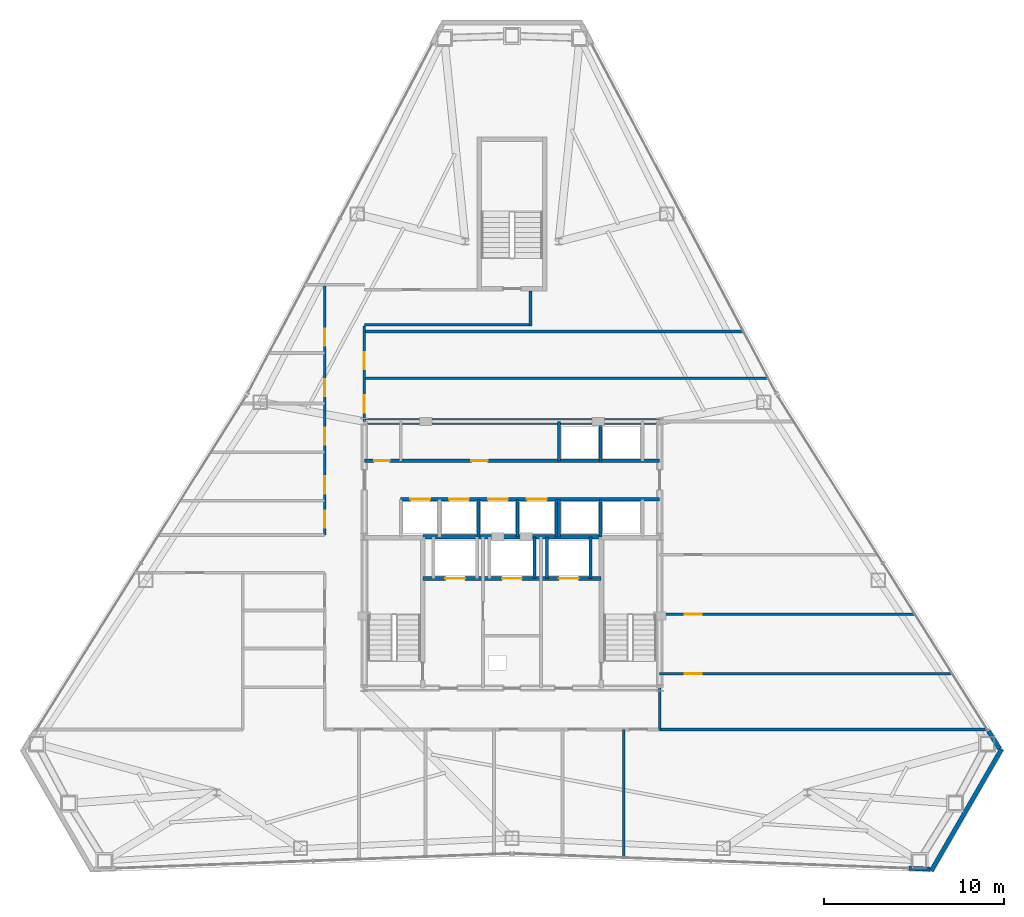
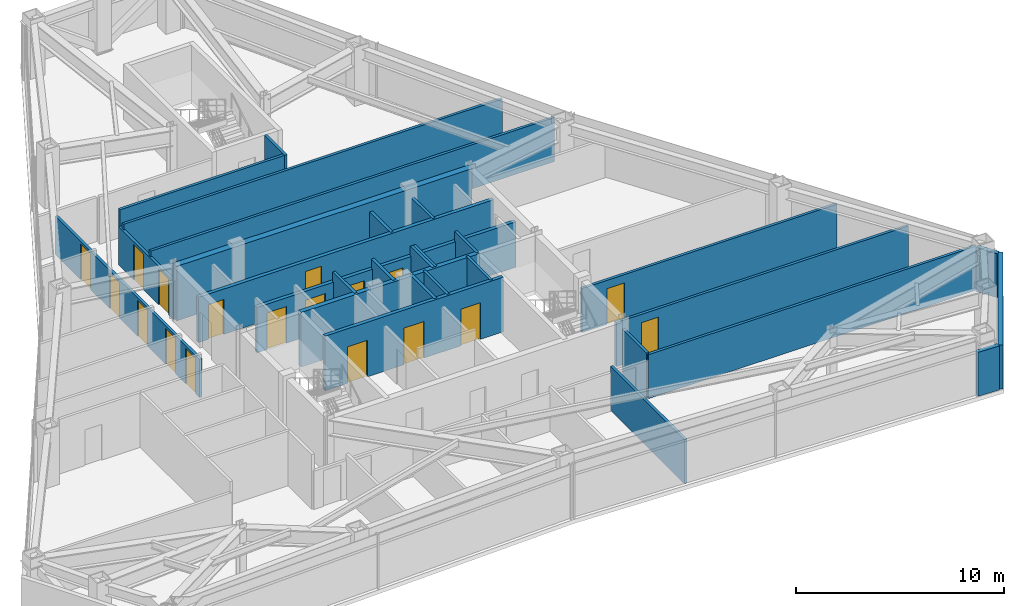
# One storey, part 11 of 13: 29 walls, 18 doors, 18 openings.
"""IFC4 building model written with IfcOpenShell, lengths in metres."""

from ifc_helpers import new_model, si_unit, direction, frame, frame_2d, origin, place, context, subcontext, project, spatial, rectangle, extrude, material, layer, layer_set, type_object, element, fill, save


model = new_model("IFC4")

# Units and contexts
model_context = context("Model", 3, precision=1e-05, world=origin(), true_north=direction((0.0, 1.0)))
body_context = subcontext(model_context, "Body", "Model", "MODEL_VIEW")
ifc_project = project(units=[si_unit("LENGTHUNIT", "METRE"), si_unit("AREAUNIT", "SQUARE_METRE"), si_unit("VOLUMEUNIT", "CUBIC_METRE"), si_unit("PLANEANGLEUNIT", "RADIAN"), si_unit("MASSUNIT", "GRAM", prefix="KILO")], contexts=[model_context])

# Site, building, storey
site_placement = place(None, origin())
site = spatial("IfcSite", under=ifc_project, at=site_placement, CompositionType="ELEMENT")
building_placement = place(site_placement, origin())
building = spatial("IfcBuilding", under=site, at=building_placement, Name="Varakhsha Concourse Tower", CompositionType="ELEMENT")
storey_placement = place(building_placement, frame((0.0, 0.0, 172.35009765625)))
storey = spatial("IfcBuildingStorey", under=building, at=storey_placement, Name="L49", CompositionType="ELEMENT", Elevation=172.35009765625)

# Walls
ifc_material_1 = material(Name="Concrete fc 65 MPa", Category="concrete")
ifc_layer_1 = layer(ifc_material_1, 0.35009765625, Name="WL-CORE-350")
ifc_layer_set_1 = layer_set([ifc_layer_1], Name="Concrete fc 65 MPa")
wall_type_1 = type_object("IfcWallType", Name="WL-CORE-350", PredefinedType="SHEAR", material=ifc_layer_set_1)
wall_1_placement = place(storey_placement, frame((31.800048828125, 31.199951171875, 0.0), z_axis=(0.0, 0.0, 1.0), x_axis=(1.0, 0.0, 0.0)))
element("IfcWall", 1, at=wall_1_placement, inside=storey, type_object=wall_type_1, Name="L49 Wall CWALL-N-L49", PredefinedType="SHEAR", context=body_context, shape_type="SweptSolid", body=[
    extrude(rectangle(XDim=16.39990234375, YDim=0.35009765625, at=frame_2d((8.199951171875, 0.0))), origin(), (0.0, 0.0, 1.0), 3.2099609375),
])
ifc_material_2 = material(Name="Concrete fc 45 MPa", Category="concrete")
ifc_layer_2 = layer(ifc_material_2, 0.239990234375, Name="WL-EXT-CRN-240")
ifc_layer_set_2 = layer_set([ifc_layer_2], Name="Concrete fc 45 MPa")
wall_type_2 = type_object("IfcWallType", Name="WL-EXT-CRN-240", PredefinedType="SHEAR", material=ifc_layer_set_2)
wall_2_placement = place(storey_placement, frame((62.04248046875, 6.385009765625, 0.0), z_axis=(0.0, 0.0, 1.0), x_axis=(0.999299278667, -0.037429288739, 0.0)))
element("IfcWall", 2, at=wall_2_placement, inside=storey, type_object=wall_type_2, Name="L49 Wind-Corner Shoulder Wall F6", PredefinedType="SHEAR", context=body_context, shape_type="SweptSolid", body=[
    extrude(rectangle(XDim=1.16748046875, YDim=0.239990234375, at=frame_2d((0.583740234375, 0.0))), origin(), (0.0, 0.0, 1.0), 2.5830078125),
])
wall_3_placement = place(storey_placement, frame((67.1845703125, 13.00830078125, 0.0), z_axis=(0.0, 0.0, 1.0), x_axis=(-0.500020487837, -0.866013574803, 0.0)))
element("IfcWall", 3, at=wall_3_placement, inside=storey, type_object=wall_type_2, Name="L49 Chamfer Wind-Corner Insulated Wall F7", PredefinedType="SHEAR", context=body_context, shape_type="SweptSolid", body=[
    extrude(rectangle(XDim=7.800048828125, YDim=0.239990234375, at=frame_2d((3.89990234375, 0.0))), origin(), (0.0, 0.0, 1.0), 2.5830078125),
])
wall_4_placement = place(storey_placement, frame((67.070556640625, 13.029541015625, 0.0), z_axis=(0.0, 0.0, 1.0), x_axis=(-0.532008789028, 0.84673883128, 0.0)))
element("IfcWall", 4, at=wall_4_placement, inside=storey, type_object=wall_type_2, Name="L49 Wind-Corner Shoulder Wall F8", PredefinedType="SHEAR", context=body_context, shape_type="SweptSolid", body=[
    extrude(rectangle(XDim=1.16748046875, YDim=0.239990234375, at=frame_2d((0.583740234375, 0.0))), origin(), (0.0, 0.0, 1.0), 2.5830078125),
])
ifc_material_3 = material(Name="Fire-Rated Type X Gypsum Partition Assembly", Category="gypsum")
ifc_layer_3 = layer(ifc_material_3, 0.14990234375, Name="WL-PART-150")
ifc_layer_set_3 = layer_set([ifc_layer_3], Name="Fire-Rated Type X Gypsum Partition Assembly")
wall_type_3 = type_object("IfcWallType", Name="WL-PART-150", PredefinedType="PARTITIONING", material=ifc_layer_set_3)
wall_5_placement = place(storey_placement, frame((48.199951171875, 14.10009765625, 0.0), z_axis=(0.0, 0.0, 1.0), x_axis=(0.0, 1.0, 0.0)))
element("IfcWall", 5, at=wall_5_placement, inside=storey, type_object=wall_type_3, Name="L49 Wall CRW-SE-L49", PredefinedType="PARTITIONING", context=body_context, shape_type="SweptSolid", body=[
    extrude(rectangle(XDim=2.2998046875, YDim=0.14990234375, at=frame_2d((1.14990234375, 0.0))), origin(), (0.0, 0.0, 1.0), 2.664794921875),
])

# Wall, openings, doors
wall_6_placement = place(storey_placement, frame((29.60009765625, 24.89990234375, 0.0), z_axis=(0.0, 0.0, 1.0), x_axis=(0.0, 1.0, 0.0)))
wall_6 = element("IfcWall", 6, at=wall_6_placement, inside=storey, type_object=wall_type_3, Name="L49 Wall CRW-WN-L49", PredefinedType="PARTITIONING", context=body_context, shape_type="SweptSolid", body=[
    extrude(rectangle(XDim=13.900146484375, YDim=0.14990234375, at=frame_2d((6.9501953125, 0.0))), origin(), (0.0, 0.0, 1.0), 2.251953125),
])
opening_1_placement = place(wall_6_placement, frame((0.39990234375, 0.0, 0.0)))
opening_1 = element("IfcOpeningElement", 7, at=opening_1_placement, cuts=wall_6, Name="Opening DF-05", PredefinedType="OPENING", context=body_context, shape_type="SweptSolid", body=[
    extrude(rectangle(XDim=0.949951171875, YDim=2.10009765625, at=frame_2d((0.47509765625, 1.050048828125))), frame((0.0, 0.0849609375, 0.0), z_axis=(0.0, -1.0, 0.0), x_axis=(1.0, 0.0, 0.0)), (0.0, 0.0, 1.0), 0.169921875),
])
opening_2_placement = place(wall_6_placement, frame((2.300048828125, 0.0, 0.0)))
opening_2 = element("IfcOpeningElement", 8, at=opening_2_placement, cuts=wall_6, Name="Opening DF-05", PredefinedType="OPENING", context=body_context, shape_type="SweptSolid", body=[
    extrude(rectangle(XDim=0.949951171875, YDim=2.10009765625, at=frame_2d((0.47509765625, 1.050048828125))), frame((0.0, 0.0849609375, 0.0), z_axis=(0.0, -1.0, 0.0), x_axis=(1.0, 0.0, 0.0)), (0.0, 0.0, 1.0), 0.169921875),
])
opening_3_placement = place(wall_6_placement, frame((5.0, 0.0, 0.0)))
opening_3 = element("IfcOpeningElement", 9, at=opening_3_placement, cuts=wall_6, Name="Opening DF-05", PredefinedType="OPENING", context=body_context, shape_type="SweptSolid", body=[
    extrude(rectangle(XDim=0.949951171875, YDim=2.10009765625, at=frame_2d((0.47509765625, 1.050048828125))), frame((0.0, 0.0849609375, 0.0), z_axis=(0.0, -1.0, 0.0), x_axis=(1.0, 0.0, 0.0)), (0.0, 0.0, 1.0), 0.169921875),
])
opening_4_placement = place(wall_6_placement, frame((7.699951171875, 0.0, 0.0)))
opening_4 = element("IfcOpeningElement", 10, at=opening_4_placement, cuts=wall_6, Name="Opening DF-05", PredefinedType="OPENING", context=body_context, shape_type="SweptSolid", body=[
    extrude(rectangle(XDim=0.949951171875, YDim=2.10009765625, at=frame_2d((0.47509765625, 1.050048828125))), frame((0.0, 0.0849609375, 0.0), z_axis=(0.0, -1.0, 0.0), x_axis=(1.0, 0.0, 0.0)), (0.0, 0.0, 1.0), 0.169921875),
])
opening_5_placement = place(wall_6_placement, frame((10.5, 0.0, 0.0)))
opening_5 = element("IfcOpeningElement", 11, at=opening_5_placement, cuts=wall_6, Name="Opening DF-05", PredefinedType="OPENING", context=body_context, shape_type="SweptSolid", body=[
    extrude(rectangle(XDim=0.949951171875, YDim=2.10009765625, at=frame_2d((0.47509765625, 1.050048828125))), frame((0.0, 0.0849609375, 0.0), z_axis=(0.0, -1.0, 0.0), x_axis=(1.0, 0.0, 0.0)), (0.0, 0.0, 1.0), 0.169921875),
])
ifc_material_4 = material(Name="Hollow Galvanised Steel Fire Door Assembly", Category="steel")
door_type_1 = type_object("IfcDoorType", Name="DR-FD60-950", OperationType="NOTDEFINED", PredefinedType="DOOR", material=ifc_material_4)
door_1_placement = place(opening_1_placement, origin())
door_1 = element("IfcDoor", 12, at=door_1_placement, inside=storey, type_object=door_type_1, Name="L49 Chambers Break Kitchen L49-NW Door", OperationType="SINGLE_SWING_LEFT", OverallHeight=2.10009765625, OverallWidth=0.949951171875, PredefinedType="DOOR", context=body_context, shape_type="SweptSolid", body=[
    extrude(rectangle(XDim=0.949951171875, YDim=2.10009765625, at=frame_2d((0.47509765625, 1.050048828125))), frame((0.0, 0.02490234375, 0.0), z_axis=(0.0, -1.0, 0.0), x_axis=(1.0, 0.0, 0.0)), (0.0, 0.0, 1.0), 0.050048828125),
])
fill(opening_1, door_1)
door_2_placement = place(opening_2_placement, origin())
door_2 = element("IfcDoor", 13, at=door_2_placement, inside=storey, type_object=door_type_1, Name="L49 Senior Partner Chamber L49-W2 Door", OperationType="SINGLE_SWING_RIGHT", OverallHeight=2.10009765625, OverallWidth=0.949951171875, PredefinedType="DOOR", context=body_context, shape_type="SweptSolid", body=[
    extrude(rectangle(XDim=0.949951171875, YDim=2.10009765625, at=frame_2d((0.47509765625, 1.050048828125))), frame((0.0, 0.02490234375, 0.0), z_axis=(0.0, -1.0, 0.0), x_axis=(1.0, 0.0, 0.0)), (0.0, 0.0, 1.0), 0.050048828125),
])
fill(opening_2, door_2)
door_3_placement = place(opening_3_placement, origin())
door_3 = element("IfcDoor", 14, at=door_3_placement, inside=storey, type_object=door_type_1, Name="L49 Senior Partner Chamber L49-W3 Door", OperationType="SINGLE_SWING_LEFT", OverallHeight=2.10009765625, OverallWidth=0.949951171875, PredefinedType="DOOR", context=body_context, shape_type="SweptSolid", body=[
    extrude(rectangle(XDim=0.949951171875, YDim=2.10009765625, at=frame_2d((0.47509765625, 1.050048828125))), frame((0.0, 0.02490234375, 0.0), z_axis=(0.0, -1.0, 0.0), x_axis=(1.0, 0.0, 0.0)), (0.0, 0.0, 1.0), 0.050048828125),
])
fill(opening_3, door_3)
door_4_placement = place(opening_4_placement, origin())
door_4 = element("IfcDoor", 15, at=door_4_placement, inside=storey, type_object=door_type_1, Name="L49 Senior Partner Chamber L49-W4 Door", OperationType="SINGLE_SWING_RIGHT", OverallHeight=2.10009765625, OverallWidth=0.949951171875, PredefinedType="DOOR", context=body_context, shape_type="SweptSolid", body=[
    extrude(rectangle(XDim=0.949951171875, YDim=2.10009765625, at=frame_2d((0.47509765625, 1.050048828125))), frame((0.0, 0.02490234375, 0.0), z_axis=(0.0, -1.0, 0.0), x_axis=(1.0, 0.0, 0.0)), (0.0, 0.0, 1.0), 0.050048828125),
])
fill(opening_4, door_4)
door_5_placement = place(opening_5_placement, origin())
door_5 = element("IfcDoor", 16, at=door_5_placement, inside=storey, type_object=door_type_1, Name="L49 Senior Partner Chamber L49-W5 Door", OperationType="SINGLE_SWING_LEFT", OverallHeight=2.10009765625, OverallWidth=0.949951171875, PredefinedType="DOOR", context=body_context, shape_type="SweptSolid", body=[
    extrude(rectangle(XDim=0.949951171875, YDim=2.10009765625, at=frame_2d((0.47509765625, 1.050048828125))), frame((0.0, 0.02490234375, 0.0), z_axis=(0.0, -1.0, 0.0), x_axis=(1.0, 0.0, 0.0)), (0.0, 0.0, 1.0), 0.050048828125),
])
fill(opening_5, door_5)

wall_7_placement = place(storey_placement, frame((31.800048828125, 31.199951171875, 0.0), z_axis=(0.0, 0.0, 1.0), x_axis=(0.0, 1.0, 0.0)))
wall_7 = element("IfcWall", 17, at=wall_7_placement, inside=storey, type_object=wall_type_3, Name="L49 Wall CRW-NE-L49", PredefinedType="PARTITIONING", context=body_context, shape_type="SweptSolid", body=[
    extrude(rectangle(XDim=5.300048828125, YDim=0.14990234375, at=frame_2d((2.64990234375, 0.0))), origin(), (0.0, 0.0, 1.0), 2.251953125),
])
opening_6_placement = place(wall_7_placement, frame((0.5, 0.0, 0.0)))
opening_6 = element("IfcOpeningElement", 18, at=opening_6_placement, cuts=wall_7, Name="Opening DF-05", PredefinedType="OPENING", context=body_context, shape_type="SweptSolid", body=[
    extrude(rectangle(XDim=0.949951171875, YDim=2.10009765625, at=frame_2d((0.47509765625, 1.050048828125))), frame((0.0, 0.0849609375, 0.0), z_axis=(0.0, -1.0, 0.0), x_axis=(1.0, 0.0, 0.0)), (0.0, 0.0, 1.0), 0.169921875),
])
opening_7_placement = place(wall_7_placement, frame((2.89990234375, 0.0, 0.0)))
opening_7 = element("IfcOpeningElement", 19, at=opening_7_placement, cuts=wall_7, Name="Opening DF-05", PredefinedType="OPENING", context=body_context, shape_type="SweptSolid", body=[
    extrude(rectangle(XDim=0.949951171875, YDim=2.10009765625, at=frame_2d((0.47509765625, 1.050048828125))), frame((0.0, 0.0849609375, 0.0), z_axis=(0.0, -1.0, 0.0), x_axis=(1.0, 0.0, 0.0)), (0.0, 0.0, 1.0), 0.169921875),
])
door_6_placement = place(opening_6_placement, origin())
door_6 = element("IfcDoor", 20, at=door_6_placement, inside=storey, type_object=door_type_1, Name="L49 Mountain View Deposition Conference Room L49-NE1 Door", OperationType="SINGLE_SWING_RIGHT", OverallHeight=2.10009765625, OverallWidth=0.949951171875, PredefinedType="DOOR", context=body_context, shape_type="SweptSolid", body=[
    extrude(rectangle(XDim=0.949951171875, YDim=2.10009765625, at=frame_2d((0.47509765625, 1.050048828125))), frame((0.0, 0.02490234375, 0.0), z_axis=(0.0, -1.0, 0.0), x_axis=(1.0, 0.0, 0.0)), (0.0, 0.0, 1.0), 0.050048828125),
])
fill(opening_6, door_6)
door_7_placement = place(opening_7_placement, origin())
door_7 = element("IfcDoor", 21, at=door_7_placement, inside=storey, type_object=door_type_1, Name="L49 Apex Senior Partner Chamber L49-NE2 Door", OperationType="SINGLE_SWING_RIGHT", OverallHeight=2.10009765625, OverallWidth=0.949951171875, PredefinedType="DOOR", context=body_context, shape_type="SweptSolid", body=[
    extrude(rectangle(XDim=0.949951171875, YDim=2.10009765625, at=frame_2d((0.47509765625, 1.050048828125))), frame((0.0, 0.02490234375, 0.0), z_axis=(0.0, -1.0, 0.0), x_axis=(1.0, 0.0, 0.0)), (0.0, 0.0, 1.0), 0.050048828125),
])
fill(opening_7, door_7)

# Walls
wall_8_placement = place(storey_placement, frame((46.199951171875, 6.982666015625, 0.0), z_axis=(0.0, 0.0, 1.0), x_axis=(0.0, 1.0, 0.0)))
element("IfcWall", 22, at=wall_8_placement, inside=storey, type_object=wall_type_3, Name="L49 Wall ODIV-S5-L49", PredefinedType="PARTITIONING", context=body_context, shape_type="SweptSolid", body=[
    extrude(rectangle(XDim=7.117431640625, YDim=0.14990234375, at=frame_2d((3.55859375, 0.0))), origin(), (0.0, 0.0, 1.0), 2.5888671875),
])
wall_9_placement = place(storey_placement, frame((31.800048828125, 33.60009765625, 0.0), z_axis=(0.0, 0.0, 1.0), x_axis=(1.0, 0.0, 0.0)))
element("IfcWall", 23, at=wall_9_placement, inside=storey, type_object=wall_type_3, Name="L49 Wall ODIV-NE1-L49", PredefinedType="PARTITIONING", context=body_context, shape_type="SweptSolid", body=[
    extrude(rectangle(XDim=22.43017578125, YDim=0.14990234375, at=frame_2d((11.215087890625, 0.0))), origin(), (0.0, 0.0, 1.0), 2.5888671875),
])
wall_10_placement = place(storey_placement, frame((31.800048828125, 36.199951171875, 0.0), z_axis=(0.0, 0.0, 1.0), x_axis=(1.0, 0.0, 0.0)))
element("IfcWall", 24, at=wall_10_placement, inside=storey, type_object=wall_type_3, Name="L49 Wall ODIV-NE2-L49", PredefinedType="PARTITIONING", context=body_context, shape_type="SweptSolid", body=[
    extrude(rectangle(XDim=21.05615234375, YDim=0.14990234375, at=frame_2d((10.528076171875, 0.0))), origin(), (0.0, 0.0, 1.0), 2.5888671875),
])
wall_11_placement = place(storey_placement, frame((48.199951171875, 14.10009765625, 0.0), z_axis=(0.0, 0.0, 1.0), x_axis=(1.0, 0.0, 0.0)))
element("IfcWall", 25, at=wall_11_placement, inside=storey, type_object=wall_type_3, Name="L49 Wall ODIV-EB0-L49", PredefinedType="PARTITIONING", context=body_context, shape_type="SweptSolid", body=[
    extrude(rectangle(XDim=18.192138671875, YDim=0.14990234375, at=frame_2d((9.09619140625, 0.0))), origin(), (0.0, 0.0, 1.0), 2.5888671875),
])

# Wall, opening, door
wall_12_placement = place(storey_placement, frame((48.199951171875, 17.199951171875, 0.0), z_axis=(0.0, 0.0, 1.0), x_axis=(1.0, 0.0, 0.0)))
wall_12 = element("IfcWall", 26, at=wall_12_placement, inside=storey, type_object=wall_type_3, Name="L49 Wall ODIV-E1-L49", PredefinedType="PARTITIONING", context=body_context, shape_type="SweptSolid", body=[
    extrude(rectangle(XDim=16.244140625, YDim=0.14990234375, at=frame_2d((8.1220703125, 0.0))), origin(), (0.0, 0.0, 1.0), 2.5888671875),
])
opening_8_placement = place(wall_12_placement, frame((1.39990234375, 0.0, 0.0)))
opening_8 = element("IfcOpeningElement", 27, at=opening_8_placement, cuts=wall_12, Name="Opening DF-05", PredefinedType="OPENING", context=body_context, shape_type="SweptSolid", body=[
    extrude(rectangle(XDim=0.949951171875, YDim=2.10009765625, at=frame_2d((0.47509765625, 1.050048828125))), frame((0.0, 0.0849609375, 0.0), z_axis=(0.0, -1.0, 0.0), x_axis=(1.0, 0.0, 0.0)), (0.0, 0.0, 1.0), 0.169921875),
])
door_8_placement = place(opening_8_placement, origin())
door_8 = element("IfcDoor", 28, at=door_8_placement, inside=storey, type_object=door_type_1, Name="L49 East Suite Interconnect Door 1", OperationType="SINGLE_SWING_LEFT", OverallHeight=2.10009765625, OverallWidth=0.949951171875, PredefinedType="DOOR", context=body_context, shape_type="SweptSolid", body=[
    extrude(rectangle(XDim=0.949951171875, YDim=2.10009765625, at=frame_2d((0.47509765625, 1.050048828125))), frame((0.0, 0.02490234375, 0.0), z_axis=(0.0, -1.0, 0.0), x_axis=(1.0, 0.0, 0.0)), (0.0, 0.0, 1.0), 0.050048828125),
])
fill(opening_8, door_8)

wall_13_placement = place(storey_placement, frame((48.199951171875, 20.5, 0.0), z_axis=(0.0, 0.0, 1.0), x_axis=(1.0, 0.0, 0.0)))
wall_13 = element("IfcWall", 29, at=wall_13_placement, inside=storey, type_object=wall_type_3, Name="L49 Wall ODIV-E2-L49", PredefinedType="PARTITIONING", context=body_context, shape_type="SweptSolid", body=[
    extrude(rectangle(XDim=14.1708984375, YDim=0.14990234375, at=frame_2d((7.08544921875, 0.0))), origin(), (0.0, 0.0, 1.0), 2.5888671875),
])
opening_9_placement = place(wall_13_placement, frame((1.39990234375, 0.0, 0.0)))
opening_9 = element("IfcOpeningElement", 30, at=opening_9_placement, cuts=wall_13, Name="Opening DF-05", PredefinedType="OPENING", context=body_context, shape_type="SweptSolid", body=[
    extrude(rectangle(XDim=0.949951171875, YDim=2.10009765625, at=frame_2d((0.47509765625, 1.050048828125))), frame((0.0, 0.0849609375, 0.0), z_axis=(0.0, -1.0, 0.0), x_axis=(1.0, 0.0, 0.0)), (0.0, 0.0, 1.0), 0.169921875),
])
door_9_placement = place(opening_9_placement, origin())
door_9 = element("IfcDoor", 31, at=door_9_placement, inside=storey, type_object=door_type_1, Name="L49 East Suite Interconnect Door 2", OperationType="SINGLE_SWING_RIGHT", OverallHeight=2.10009765625, OverallWidth=0.949951171875, PredefinedType="DOOR", context=body_context, shape_type="SweptSolid", body=[
    extrude(rectangle(XDim=0.949951171875, YDim=2.10009765625, at=frame_2d((0.47509765625, 1.050048828125))), frame((0.0, 0.02490234375, 0.0), z_axis=(0.0, -1.0, 0.0), x_axis=(1.0, 0.0, 0.0)), (0.0, 0.0, 1.0), 0.050048828125),
])
fill(opening_9, door_9)

# Walls
wall_14_placement = place(storey_placement, frame((31.800048828125, 36.574951171875, 0.0), z_axis=(0.0, 0.0, 1.0), x_axis=(1.0, 0.0, 0.0)))
element("IfcWall", 32, at=wall_14_placement, inside=storey, type_object=wall_type_3, Name="L49 Wall STLK-S-L49", PredefinedType="PARTITIONING", context=body_context, shape_type="SweptSolid", body=[
    extrude(rectangle(XDim=9.14990234375, YDim=0.14990234375, at=frame_2d((4.574951171875, 0.0))), origin(), (0.0, 0.0, 1.0), 3.2099609375),
])
wall_15_placement = place(storey_placement, frame((41.02490234375, 36.5, 0.0), z_axis=(0.0, 0.0, 1.0), x_axis=(0.0, 1.0, 0.0)))
element("IfcWall", 33, at=wall_15_placement, inside=storey, type_object=wall_type_3, Name="L49 Wall STLK-E-L49", PredefinedType="PARTITIONING", context=body_context, shape_type="SweptSolid", body=[
    extrude(rectangle(XDim=1.949951171875, YDim=0.14990234375, at=frame_2d((0.97509765625, 0.0))), origin(), (0.0, 0.0, 1.0), 3.2099609375),
])

# Wall, openings, doors
ifc_layer_4 = layer(ifc_material_3, 0.199951171875, Name="WL-SHAFT-220")
ifc_layer_set_4 = layer_set([ifc_layer_4], Name="Fire-Rated Type X Gypsum Partition Assembly")
wall_type_4 = type_object("IfcWallType", Name="WL-SHAFT-220", PredefinedType="SOLIDWALL", material=ifc_layer_set_4)
wall_16_placement = place(storey_placement, frame((35.044921875, 22.47998046875, 0.0), z_axis=(0.0, 0.0, 1.0), x_axis=(1.0, 0.0, 0.0)))
wall_16 = element("IfcWall", 34, at=wall_16_placement, inside=storey, type_object=wall_type_4, Name="L49 Wall FFW-NH-L49", PredefinedType="SOLIDWALL", context=body_context, shape_type="SweptSolid", body=[
    extrude(rectangle(XDim=9.91015625, YDim=0.199951171875, at=frame_2d((4.955078125, 0.0))), origin(), (0.0, 0.0, 1.0), 3.2099609375),
])
opening_10_placement = place(wall_16_placement, frame((1.2548828125, 0.0, 0.0)))
opening_10 = element("IfcOpeningElement", 35, at=opening_10_placement, cuts=wall_16, Name="Opening LD-FFL-1", PredefinedType="OPENING", context=body_context, shape_type="SweptSolid", body=[
    extrude(rectangle(XDim=1.10009765625, YDim=2.14990234375, at=frame_2d((0.550048828125, 1.074951171875))), frame((0.0, 0.10986328125, 0.0), z_axis=(0.0, -1.0, 0.0), x_axis=(1.0, 0.0, 0.0)), (0.0, 0.0, 1.0), 0.219970703125),
])
opening_11_placement = place(wall_16_placement, frame((7.554931640625, 0.0, 0.0)))
opening_11 = element("IfcOpeningElement", 36, at=opening_11_placement, cuts=wall_16, Name="Opening LD-FFL-2", PredefinedType="OPENING", context=body_context, shape_type="SweptSolid", body=[
    extrude(rectangle(XDim=1.10009765625, YDim=2.14990234375, at=frame_2d((0.550048828125, 1.074951171875))), frame((0.0, 0.10986328125, 0.0), z_axis=(0.0, -1.0, 0.0), x_axis=(1.0, 0.0, 0.0)), (0.0, 0.0, 1.0), 0.219970703125),
])
opening_12_placement = place(wall_16_placement, frame((4.405029296875, 0.0, 0.0)))
opening_12 = element("IfcOpeningElement", 37, at=opening_12_placement, cuts=wall_16, Name="Opening LD-SVL-1", PredefinedType="OPENING", context=body_context, shape_type="SweptSolid", body=[
    extrude(rectangle(XDim=1.10009765625, YDim=2.14990234375, at=frame_2d((0.550048828125, 1.074951171875))), frame((0.0, 0.10986328125, 0.0), z_axis=(0.0, -1.0, 0.0), x_axis=(1.0, 0.0, 0.0)), (0.0, 0.0, 1.0), 0.219970703125),
])
ifc_material_5 = material(Name="Brushed Austenitic Stainless Steel AISI 316", Category="steel")
door_type_2 = type_object("IfcDoorType", Name="DR-LD-1100", OperationType="DOUBLE_DOOR_SLIDING", PredefinedType="DOOR", material=ifc_material_5)
door_10_placement = place(opening_10_placement, origin())
door_10 = element("IfcDoor", 38, at=door_10_placement, inside=storey, type_object=door_type_2, Name="Lift Landing Door FFL-1 L49", OperationType="DOUBLE_DOOR_SLIDING", OverallHeight=2.14990234375, OverallWidth=1.10009765625, PredefinedType="DOOR", context=body_context, shape_type="SweptSolid", body=[
    extrude(rectangle(XDim=1.10009765625, YDim=2.14990234375, at=frame_2d((0.550048828125, 1.074951171875))), frame((0.0, 0.02490234375, 0.0), z_axis=(0.0, -1.0, 0.0), x_axis=(1.0, 0.0, 0.0)), (0.0, 0.0, 1.0), 0.050048828125),
])
fill(opening_10, door_10)
door_11_placement = place(opening_11_placement, origin())
door_11 = element("IfcDoor", 39, at=door_11_placement, inside=storey, type_object=door_type_2, Name="Lift Landing Door FFL-2 L49", OperationType="DOUBLE_DOOR_SLIDING", OverallHeight=2.14990234375, OverallWidth=1.10009765625, PredefinedType="DOOR", context=body_context, shape_type="SweptSolid", body=[
    extrude(rectangle(XDim=1.10009765625, YDim=2.14990234375, at=frame_2d((0.550048828125, 1.074951171875))), frame((0.0, 0.02490234375, 0.0), z_axis=(0.0, -1.0, 0.0), x_axis=(1.0, 0.0, 0.0)), (0.0, 0.0, 1.0), 0.050048828125),
])
fill(opening_11, door_11)
door_12_placement = place(opening_12_placement, origin())
door_12 = element("IfcDoor", 40, at=door_12_placement, inside=storey, type_object=door_type_2, Name="Lift Landing Door SVL-1 L49", OperationType="DOUBLE_DOOR_SLIDING", OverallHeight=2.14990234375, OverallWidth=1.10009765625, PredefinedType="DOOR", context=body_context, shape_type="SweptSolid", body=[
    extrude(rectangle(XDim=1.10009765625, YDim=2.14990234375, at=frame_2d((0.550048828125, 1.074951171875))), frame((0.0, 0.02490234375, 0.0), z_axis=(0.0, -1.0, 0.0), x_axis=(1.0, 0.0, 0.0)), (0.0, 0.0, 1.0), 0.050048828125),
])
fill(opening_12, door_12)

# Walls
for number, where, z_axis, x_axis, name in (
    (41, (41.949951171875, 22.47998046875, 0.0), (0.0, 0.0, 1.0), (0.0, 1.0, 0.0), "L49 Wall SHW-FFL-2-W-L49"),
    (42, (44.35009765625, 22.47998046875, 0.0), (0.0, 0.0, 1.0), (0.0, 1.0, 0.0), "L49 Wall SHW-FFL-2-E-L49"),
    (43, (41.25, 22.47998046875, 0.0), (0.0, 0.0, 1.0), (0.0, 1.0, 0.0), "L49 Wall SHW-SVL-1-E-L49"),
):
    element("IfcWall", number, at=place(storey_placement, frame(where, z_axis=z_axis, x_axis=x_axis)), inside=storey, type_object=wall_type_4, Name=name, PredefinedType="SOLIDWALL", context=body_context, shape_type="SweptSolid", body=[
        extrude(rectangle(XDim=2.320068359375, YDim=0.159912109375, at=frame_2d((1.16015625, 0.0))), origin(), (0.0, 0.0, 1.0), 3.2099609375),
    ])

# Wall, openings, doors
wall_17_placement = place(storey_placement, frame((31.800048828125, 29.02001953125, 0.0), z_axis=(0.0, 0.0, 1.0), x_axis=(1.0, 0.0, 0.0)))
wall_17 = element("IfcWall", 44, at=wall_17_placement, inside=storey, type_object=wall_type_4, Name="L49 Wall PLW-N-L49", PredefinedType="SOLIDWALL", context=body_context, shape_type="SweptSolid", body=[
    extrude(rectangle(XDim=16.39990234375, YDim=0.199951171875, at=frame_2d((8.199951171875, 0.0))), origin(), (0.0, 0.0, 1.0), 2.664794921875),
])
opening_13_placement = place(wall_17_placement, frame((0.550048828125, 0.0, 0.0)))
opening_13 = element("IfcOpeningElement", 45, at=opening_13_placement, cuts=wall_17, Name="Opening DF-07", PredefinedType="OPENING", context=body_context, shape_type="SweptSolid", body=[
    extrude(rectangle(XDim=0.85009765625, YDim=2.050048828125, at=frame_2d((0.425048828125, 1.02490234375))), frame((0.0, 0.10986328125, 0.0), z_axis=(0.0, -1.0, 0.0), x_axis=(1.0, 0.0, 0.0)), (0.0, 0.0, 1.0), 0.219970703125),
])
opening_14_placement = place(wall_17_placement, frame((5.93994140625, 0.0, 0.0)))
opening_14 = element("IfcOpeningElement", 46, at=opening_14_placement, cuts=wall_17, Name="Opening DF-06", PredefinedType="OPENING", context=body_context, shape_type="SweptSolid", body=[
    extrude(rectangle(XDim=0.89990234375, YDim=2.10009765625, at=frame_2d((0.449951171875, 1.050048828125))), frame((0.0, 0.10986328125, 0.0), z_axis=(0.0, -1.0, 0.0), x_axis=(1.0, 0.0, 0.0)), (0.0, 0.0, 1.0), 0.219970703125),
])
door_type_3 = type_object("IfcDoorType", Name="DR-FD60-850", OperationType="NOTDEFINED", PredefinedType="DOOR", material=ifc_material_4)
door_13_placement = place(opening_13_placement, origin())
door_13 = element("IfcDoor", 47, at=door_13_placement, inside=storey, type_object=door_type_3, Name="L49 Core Janitor Closet Door", OperationType="SINGLE_SWING_LEFT", OverallHeight=2.050048828125, OverallWidth=0.85009765625, PredefinedType="DOOR", context=body_context, shape_type="SweptSolid", body=[
    extrude(rectangle(XDim=0.85009765625, YDim=2.050048828125, at=frame_2d((0.425048828125, 1.02490234375))), frame((0.0, 0.02490234375, 0.0), z_axis=(0.0, -1.0, 0.0), x_axis=(1.0, 0.0, 0.0)), (0.0, 0.0, 1.0), 0.050048828125),
])
fill(opening_13, door_13)
door_type_4 = type_object("IfcDoorType", Name="DR-FD60-900", OperationType="NOTDEFINED", PredefinedType="DOOR", material=ifc_material_4)
door_14_placement = place(opening_14_placement, origin())
door_14 = element("IfcDoor", 48, at=door_14_placement, inside=storey, type_object=door_type_4, Name="L49 Tenant Archive and IT Server Room Door", OperationType="SINGLE_SWING_LEFT", OverallHeight=2.10009765625, OverallWidth=0.89990234375, PredefinedType="DOOR", context=body_context, shape_type="SweptSolid", body=[
    extrude(rectangle(XDim=0.89990234375, YDim=2.10009765625, at=frame_2d((0.449951171875, 1.050048828125))), frame((0.0, 0.02490234375, 0.0), z_axis=(0.0, -1.0, 0.0), x_axis=(1.0, 0.0, 0.0)), (0.0, 0.0, 1.0), 0.050048828125),
])
fill(opening_14, door_14)

wall_18_placement = place(storey_placement, frame((33.820068359375, 26.8798828125, 0.0), z_axis=(0.0, 0.0, 1.0), x_axis=(1.0, 0.0, 0.0)))
wall_18 = element("IfcWall", 49, at=wall_18_placement, inside=storey, type_object=wall_type_4, Name="L49 Wall PLW-S-L49", PredefinedType="SOLIDWALL", context=body_context, shape_type="SweptSolid", body=[
    extrude(rectangle(XDim=14.3798828125, YDim=0.199951171875, at=frame_2d((7.18994140625, 0.0))), origin(), (0.0, 0.0, 1.0), 2.664794921875),
])
opening_15_placement = place(wall_18_placement, frame((0.530029296875, 0.0, 0.0)))
opening_15 = element("IfcOpeningElement", 50, at=opening_15_placement, cuts=wall_18, Name="Opening LD-LF-P05", PredefinedType="OPENING", context=body_context, shape_type="SweptSolid", body=[
    extrude(rectangle(XDim=1.10009765625, YDim=2.14990234375, at=frame_2d((0.550048828125, 1.074951171875))), frame((0.0, 0.10986328125, 0.0), z_axis=(0.0, -1.0, 0.0), x_axis=(1.0, 0.0, 0.0)), (0.0, 0.0, 1.0), 0.219970703125),
])
opening_16_placement = place(wall_18_placement, frame((2.68994140625, 0.0, 0.0)))
opening_16 = element("IfcOpeningElement", 51, at=opening_16_placement, cuts=wall_18, Name="Opening LD-LF-P06", PredefinedType="OPENING", context=body_context, shape_type="SweptSolid", body=[
    extrude(rectangle(XDim=1.10009765625, YDim=2.14990234375, at=frame_2d((0.550048828125, 1.074951171875))), frame((0.0, 0.10986328125, 0.0), z_axis=(0.0, -1.0, 0.0), x_axis=(1.0, 0.0, 0.0)), (0.0, 0.0, 1.0), 0.219970703125),
])
opening_17_placement = place(wall_18_placement, frame((4.85009765625, 0.0, 0.0)))
opening_17 = element("IfcOpeningElement", 52, at=opening_17_placement, cuts=wall_18, Name="Opening LD-LF-P07", PredefinedType="OPENING", context=body_context, shape_type="SweptSolid", body=[
    extrude(rectangle(XDim=1.10009765625, YDim=2.14990234375, at=frame_2d((0.550048828125, 1.074951171875))), frame((0.0, 0.10986328125, 0.0), z_axis=(0.0, -1.0, 0.0), x_axis=(1.0, 0.0, 0.0)), (0.0, 0.0, 1.0), 0.219970703125),
])
opening_18_placement = place(wall_18_placement, frame((7.010009765625, 0.0, 0.0)))
opening_18 = element("IfcOpeningElement", 53, at=opening_18_placement, cuts=wall_18, Name="Opening LD-LF-P08", PredefinedType="OPENING", context=body_context, shape_type="SweptSolid", body=[
    extrude(rectangle(XDim=1.10009765625, YDim=2.14990234375, at=frame_2d((0.550048828125, 1.074951171875))), frame((0.0, 0.10986328125, 0.0), z_axis=(0.0, -1.0, 0.0), x_axis=(1.0, 0.0, 0.0)), (0.0, 0.0, 1.0), 0.219970703125),
])
door_15_placement = place(opening_15_placement, origin())
door_15 = element("IfcDoor", 54, at=door_15_placement, inside=storey, type_object=door_type_2, Name="Lift Landing Door LF-P05 L49", OperationType="DOUBLE_DOOR_SLIDING", OverallHeight=2.14990234375, OverallWidth=1.10009765625, PredefinedType="DOOR", context=body_context, shape_type="SweptSolid", body=[
    extrude(rectangle(XDim=1.10009765625, YDim=2.14990234375, at=frame_2d((0.550048828125, 1.074951171875))), frame((0.0, 0.02490234375, 0.0), z_axis=(0.0, -1.0, 0.0), x_axis=(1.0, 0.0, 0.0)), (0.0, 0.0, 1.0), 0.050048828125),
])
fill(opening_15, door_15)
door_16_placement = place(opening_16_placement, origin())
door_16 = element("IfcDoor", 55, at=door_16_placement, inside=storey, type_object=door_type_2, Name="Lift Landing Door LF-P06 L49", OperationType="DOUBLE_DOOR_SLIDING", OverallHeight=2.14990234375, OverallWidth=1.10009765625, PredefinedType="DOOR", context=body_context, shape_type="SweptSolid", body=[
    extrude(rectangle(XDim=1.10009765625, YDim=2.14990234375, at=frame_2d((0.550048828125, 1.074951171875))), frame((0.0, 0.02490234375, 0.0), z_axis=(0.0, -1.0, 0.0), x_axis=(1.0, 0.0, 0.0)), (0.0, 0.0, 1.0), 0.050048828125),
])
fill(opening_16, door_16)
door_17_placement = place(opening_17_placement, origin())
door_17 = element("IfcDoor", 56, at=door_17_placement, inside=storey, type_object=door_type_2, Name="Lift Landing Door LF-P07 L49", OperationType="DOUBLE_DOOR_SLIDING", OverallHeight=2.14990234375, OverallWidth=1.10009765625, PredefinedType="DOOR", context=body_context, shape_type="SweptSolid", body=[
    extrude(rectangle(XDim=1.10009765625, YDim=2.14990234375, at=frame_2d((0.550048828125, 1.074951171875))), frame((0.0, 0.02490234375, 0.0), z_axis=(0.0, -1.0, 0.0), x_axis=(1.0, 0.0, 0.0)), (0.0, 0.0, 1.0), 0.050048828125),
])
fill(opening_17, door_17)
door_18_placement = place(opening_18_placement, origin())
door_18 = element("IfcDoor", 57, at=door_18_placement, inside=storey, type_object=door_type_2, Name="Lift Landing Door LF-P08 L49", OperationType="DOUBLE_DOOR_SLIDING", OverallHeight=2.14990234375, OverallWidth=1.10009765625, PredefinedType="DOOR", context=body_context, shape_type="SweptSolid", body=[
    extrude(rectangle(XDim=1.10009765625, YDim=2.14990234375, at=frame_2d((0.550048828125, 1.074951171875))), frame((0.0, 0.02490234375, 0.0), z_axis=(0.0, -1.0, 0.0), x_axis=(1.0, 0.0, 0.0)), (0.0, 0.0, 1.0), 0.050048828125),
])
fill(opening_18, door_18)

# Walls
for number, where, z_axis, x_axis, name in (
    (58, (38.139892578125, 24.800048828125, 0.0), (0.0, 0.0, 1.0), (0.0, 1.0, 0.0), "L49 Wall SHW-LF-P06-E-L49"),
    (59, (40.300048828125, 24.800048828125, 0.0), (0.0, 0.0, 1.0), (0.0, 1.0, 0.0), "L49 Wall SHW-LF-P07-E-L49"),
    (60, (42.4599609375, 24.800048828125, 0.0), (0.0, 0.0, 1.0), (0.0, 1.0, 0.0), "L49 Wall SHW-LF-P08-E-L49"),
):
    element("IfcWall", number, at=place(storey_placement, frame(where, z_axis=z_axis, x_axis=x_axis)), inside=storey, type_object=wall_type_4, Name=name, PredefinedType="SOLIDWALL", context=body_context, shape_type="SweptSolid", body=[
        extrude(rectangle(XDim=2.079833984375, YDim=0.159912109375, at=frame_2d((1.0400390625, 0.0))), origin(), (0.0, 0.0, 1.0), 3.2099609375),
    ])
for number, where, z_axis, x_axis, name in (
    (61, (42.60009765625, 29.02001953125, 0.0), (0.0, 0.0, 1.0), (0.0, 1.0, 0.0), "L49 Wall SHW-LF-P09-W-L49"),
    (62, (44.919921875, 29.02001953125, 0.0), (0.0, 0.0, 1.0), (0.0, 1.0, 0.0), "L49 Wall SHW-LF-P09-E-L49"),
):
    element("IfcWall", number, at=place(storey_placement, frame(where, z_axis=z_axis, x_axis=x_axis)), inside=storey, type_object=wall_type_4, Name=name, PredefinedType="SOLIDWALL", context=body_context, shape_type="SweptSolid", body=[
        extrude(rectangle(XDim=2.179931640625, YDim=0.159912109375, at=frame_2d((1.08984375, 0.0))), origin(), (0.0, 0.0, 1.0), 2.664794921875),
    ])
for number, where, z_axis, x_axis, name in (
    (63, (42.60009765625, 24.800048828125, 0.0), (0.0, 0.0, 1.0), (0.0, 1.0, 0.0), "L49 Wall SHW-LF-P11-W-L49"),
    (64, (44.919921875, 24.800048828125, 0.0), (0.0, 0.0, 1.0), (0.0, 1.0, 0.0), "L49 Wall SHW-LF-P11-E-L49"),
):
    element("IfcWall", number, at=place(storey_placement, frame(where, z_axis=z_axis, x_axis=x_axis)), inside=storey, type_object=wall_type_4, Name=name, PredefinedType="SOLIDWALL", context=body_context, shape_type="SweptSolid", body=[
        extrude(rectangle(XDim=2.079833984375, YDim=0.159912109375, at=frame_2d((1.0400390625, 0.0))), origin(), (0.0, 0.0, 1.0), 3.2099609375),
    ])
ifc_layer_5 = layer(ifc_material_2, 0.25, Name="WL-STAIR-250")
ifc_layer_set_5 = layer_set([ifc_layer_5], Name="Concrete fc 45 MPa")
wall_type_5 = type_object("IfcWallType", Name="WL-STAIR-250", PredefinedType="SHEAR", material=ifc_layer_set_5)
wall_19_placement = place(storey_placement, frame((35.044921875, 24.800048828125, 0.0), z_axis=(0.0, 0.0, 1.0), x_axis=(1.0, 0.0, 0.0)))
element("IfcWall", 65, at=wall_19_placement, inside=storey, type_object=wall_type_5, Name="L49 Wall SWALL-MID-H-L49", PredefinedType="SHEAR", context=body_context, shape_type="SweptSolid", body=[
    extrude(rectangle(XDim=9.91015625, YDim=0.25, at=frame_2d((4.955078125, 0.0))), origin(), (0.0, 0.0, 1.0), 3.2099609375),
])

save(model, "model.ifc")
